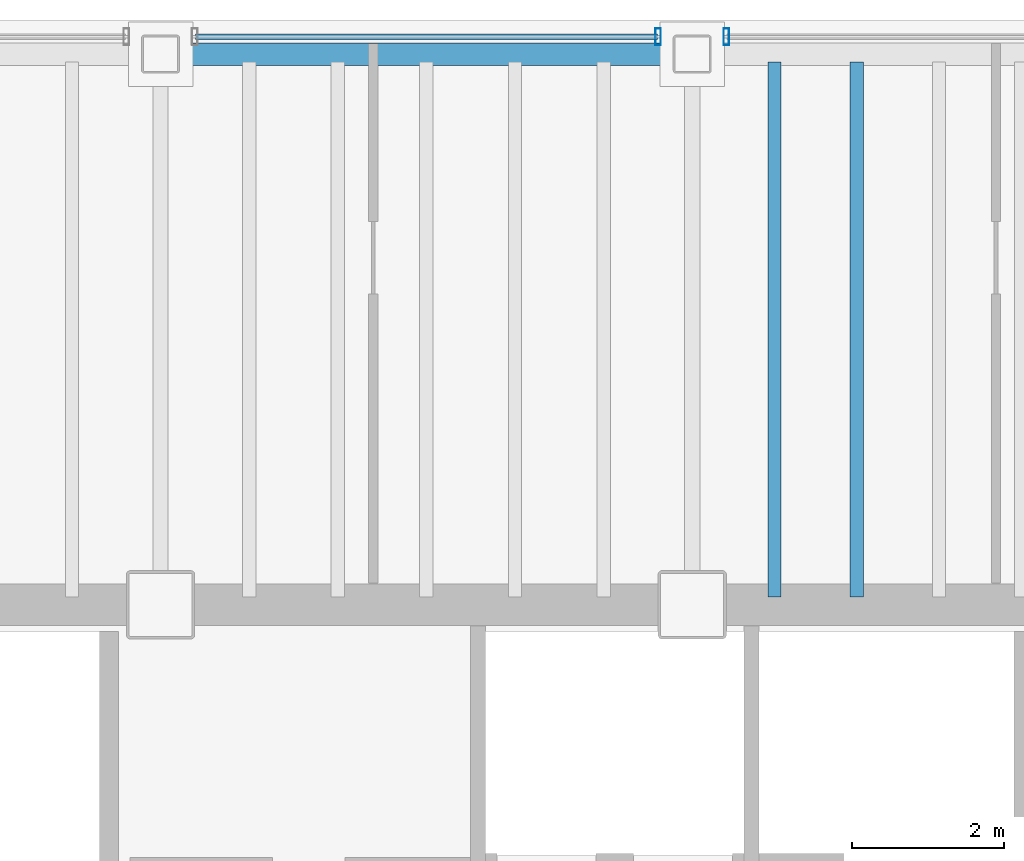
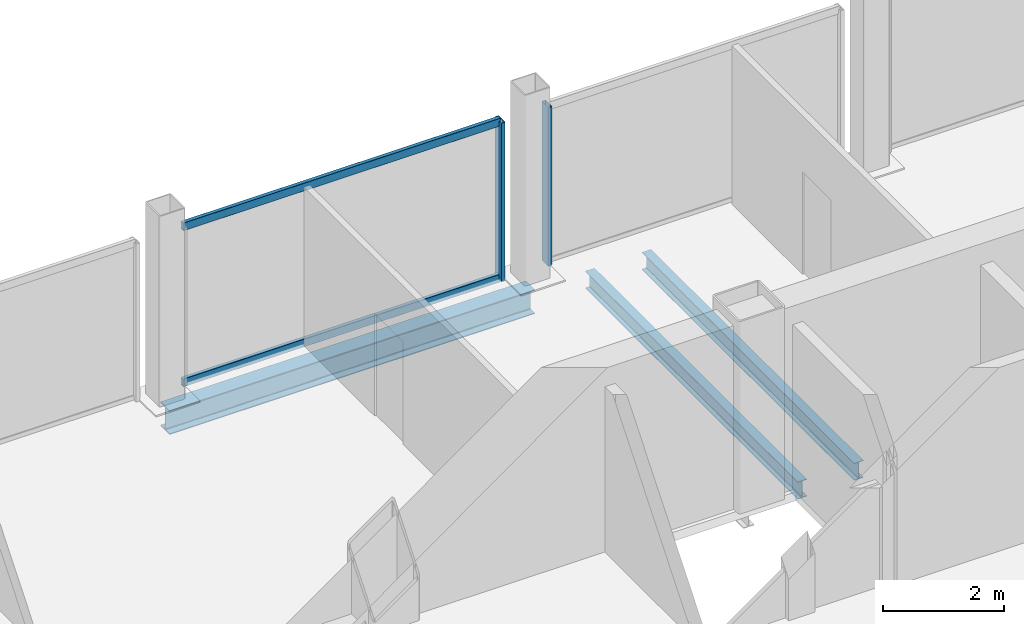
# One storey, part 10 of 19: 4 members, 3 beams, 2 elements without a shape of their own.
"""IFC4 building model written with IfcOpenShell, lengths in metres."""

from ifc_helpers import new_model, si_unit, direction, frame, origin, origin_2d, place, context, subcontext, project, spatial, hollow_rectangle, i_section, extrude, material, material_profile, profile_set, type_object, element, aggregate, save


model = new_model("IFC4")

# Units and contexts
model_context = context("Model", 3, precision=1e-05, world=origin(), true_north=direction((0.0, 1.0)))
body_context = subcontext(model_context, "Body", "Model", "MODEL_VIEW")
ifc_project = project(units=[si_unit("LENGTHUNIT", "METRE"), si_unit("AREAUNIT", "SQUARE_METRE"), si_unit("VOLUMEUNIT", "CUBIC_METRE"), si_unit("PLANEANGLEUNIT", "RADIAN"), si_unit("MASSUNIT", "GRAM", prefix="KILO")], contexts=[model_context])

# Site, building, storey
site_placement = place(None, origin())
site = spatial("IfcSite", under=ifc_project, at=site_placement, CompositionType="ELEMENT")
building_placement = place(site_placement, origin())
building = spatial("IfcBuilding", under=site, at=building_placement, Name="Noeulbin Bourse Tower", CompositionType="ELEMENT")
storey_placement = place(building_placement, frame((0.0, 0.0, 150.0)))
storey = spatial("IfcBuildingStorey", under=building, at=storey_placement, Name="L37", CompositionType="ELEMENT", Elevation=150.0)

# Beams
ifc_material_1 = material(Name="Steel S355", Category="steel")
ifc_material_profile_1 = material_profile(ifc_material_1, i_section(OverallWidth=0.175048828125, OverallDepth=0.35009765625, WebThickness=0.007080078125, FlangeThickness=0.010986328125, FilletRadius=0.013916015625, at=origin_2d()), Name="H-350x175x7x11", Category="LoadBearing")
ifc_profile_set_1 = profile_set([ifc_material_profile_1], Name="Steel S355")
beam_type_1 = type_object("IfcBeamType", Name="BM-JST-350", PredefinedType="JOIST", material=ifc_profile_set_1)
for number, where, z_axis, x_axis, name in (
    (1, (32.083251953125, 38.39990234375, -0.35498046875), (0.0, 1.0, 0.0), (-1.0, 0.0, 0.0), "Tower Composite Joist L37-42"),
    (2, (33.166748046875, 38.39990234375, -0.35498046875), (0.0, 1.0, 0.0), (-1.0, 0.0, 0.0), "Tower Composite Joist L37-45"),
):
    element("IfcBeam", number, at=place(storey_placement, frame(where, z_axis=z_axis, x_axis=x_axis)), inside=storey, type_object=beam_type_1, Name=name, PredefinedType="JOIST", context=body_context, shape_type="SweptSolid", body=[
        extrude(i_section(OverallWidth=0.175048828125, OverallDepth=0.35009765625, WebThickness=0.007080078125, FlangeThickness=0.010986328125, FilletRadius=0.013916015625, at=origin_2d()), origin(), (0.0, 0.0, 1.0), 7.050048828125),
    ])
ifc_material_profile_2 = material_profile(ifc_material_1, i_section(OverallWidth=0.300048828125, OverallDepth=0.488037109375, WebThickness=0.010986328125, FlangeThickness=0.01806640625, FilletRadius=0.02197265625, at=origin_2d()), Name="H-488x300x11x18", Category="LoadBearing")
ifc_profile_set_2 = profile_set([ifc_material_profile_2], Name="Steel S355")
beam_type_2 = type_object("IfcBeamType", Name="BM-SPN-488", PredefinedType="SPANDREL", material=ifc_profile_set_2)
beam_placement = place(storey_placement, frame((24.0, 45.550048828125, -0.424072265625), z_axis=(1.0, 0.0, 0.0), x_axis=(0.0, 1.0, 0.0)))
element("IfcBeam", 3, at=beam_placement, inside=storey, type_object=beam_type_2, Name="North Spandrel L37-2", PredefinedType="SPANDREL", context=body_context, shape_type="SweptSolid", body=[
    extrude(i_section(OverallWidth=0.300048828125, OverallDepth=0.488037109375, WebThickness=0.010986328125, FlangeThickness=0.01806640625, FilletRadius=0.02197265625, at=origin_2d()), origin(), (0.0, 0.0, 1.0), 7.0),
])

# Curtain wall, member
ifc_material_2 = material(Name="Dark Tinted Triple Glazing", Category="glass")
curtain_wall_type = type_object("IfcCurtainWallType", Name="CW-SYS-3", PredefinedType="NOTDEFINED", material=ifc_material_2)
curtain_wall_1_placement = place(storey_placement, origin())
curtain_wall_1 = element("IfcCurtainWall", 4, at=curtain_wall_1_placement, inside=storey, type_object=curtain_wall_type, Name="Unitised Curtain Wall CW-L37-N-S3", PredefinedType="NOTDEFINED")
ifc_material_3 = material(Name="Anodised Aluminium 6063-T6", Category="aluminium")
ifc_material_profile_3 = material_profile(ifc_material_3, hollow_rectangle(XDim=0.074951171875, YDim=0.219970703125, WallThickness=0.0048828125, InnerFilletRadius=0.00244140625, OuterFilletRadius=0.0048828125, at=origin_2d()), Name="ALU-MULL-75x220x5", Category="LoadBearing")
ifc_profile_set_3 = profile_set([ifc_material_profile_3], Name="Anodised Aluminium 6063-T6")
member_type_1 = type_object("IfcMemberType", Name="CW-SYS-3-MUL", PredefinedType="MULLION", material=ifc_profile_set_3)
member_1_placement = place(storey_placement, frame((30.550048828125, 45.780029296875, -0.02001953125), z_axis=(0.0, 0.0, 1.0), x_axis=(1.0, 0.0, 0.0)))
member_1 = element("IfcMember", 5, at=member_1_placement, type_object=member_type_1, Name="Curtain Wall Mullion CW-L37-N-S3-M01", PredefinedType="MULLION", context=body_context, shape_type="SweptSolid", body=[
    extrude(hollow_rectangle(XDim=0.074951171875, YDim=0.219970703125, WallThickness=0.0048828125, InnerFilletRadius=0.00244140625, OuterFilletRadius=0.0048828125, at=origin_2d()), origin(), (0.0, 0.0, 1.0), 3.219970703125),
])

curtain_wall_2_placement = place(storey_placement, origin())
curtain_wall_2 = element("IfcCurtainWall", 6, at=curtain_wall_2_placement, inside=storey, type_object=curtain_wall_type, Name="Unitised Curtain Wall CW-L37-N-S4", PredefinedType="NOTDEFINED")
member_2_placement = place(storey_placement, frame((31.449951171875, 45.780029296875, -0.02001953125), z_axis=(0.0, 0.0, 1.0), x_axis=(1.0, 0.0, 0.0)))
member_2 = element("IfcMember", 7, at=member_2_placement, type_object=member_type_1, Name="Curtain Wall Mullion CW-L37-N-S4-M00", PredefinedType="MULLION", context=body_context, shape_type="SweptSolid", body=[
    extrude(hollow_rectangle(XDim=0.074951171875, YDim=0.219970703125, WallThickness=0.0048828125, InnerFilletRadius=0.00244140625, OuterFilletRadius=0.0048828125, at=origin_2d()), origin(), (0.0, 0.0, 1.0), 3.219970703125),
])
aggregate(curtain_wall_2, [member_2])

# Member
ifc_material_profile_4 = material_profile(ifc_material_3, hollow_rectangle(XDim=0.074951171875, YDim=0.159912109375, WallThickness=0.0048828125, InnerFilletRadius=0.00244140625, OuterFilletRadius=0.0048828125, at=origin_2d()), Name="ALU-TRAN-75x160x5", Category="LoadBearing")
ifc_profile_set_4 = profile_set([ifc_material_profile_4], Name="Anodised Aluminium 6063-T6")
member_type_2 = type_object("IfcMemberType", Name="CW-SYS-3-TRN", PredefinedType="USERDEFINED", material=ifc_profile_set_4)
member_3_placement = place(storey_placement, frame((24.4599609375, 45.780029296875, 0.010009765625), z_axis=(1.0, 0.0, 0.0), x_axis=(0.0, 1.0, 0.0)))
member_3 = element("IfcMember", 8, at=member_3_placement, type_object=member_type_2, Name="Curtain Wall Transom CW-L37-N-S3-T00", ObjectType="TRANSOM", PredefinedType="USERDEFINED", context=body_context, shape_type="SweptSolid", body=[
    extrude(hollow_rectangle(XDim=0.074951171875, YDim=0.159912109375, WallThickness=0.0048828125, InnerFilletRadius=0.00244140625, OuterFilletRadius=0.0048828125, at=origin_2d()), origin(), (0.0, 0.0, 1.0), 6.080078125),
])

member_4_placement = place(storey_placement, frame((24.4599609375, 45.780029296875, 3.169921875), z_axis=(1.0, 0.0, 0.0), x_axis=(0.0, 1.0, 0.0)))
member_4 = element("IfcMember", 9, at=member_4_placement, type_object=member_type_2, Name="Curtain Wall Transom CW-L37-N-S3-T01", ObjectType="TRANSOM", PredefinedType="USERDEFINED", context=body_context, shape_type="SweptSolid", body=[
    extrude(hollow_rectangle(XDim=0.074951171875, YDim=0.159912109375, WallThickness=0.0048828125, InnerFilletRadius=0.00244140625, OuterFilletRadius=0.0048828125, at=origin_2d()), origin(), (0.0, 0.0, 1.0), 6.080078125),
])

aggregate(curtain_wall_1, [member_1, member_3, member_4])

save(model, "model.ifc")
